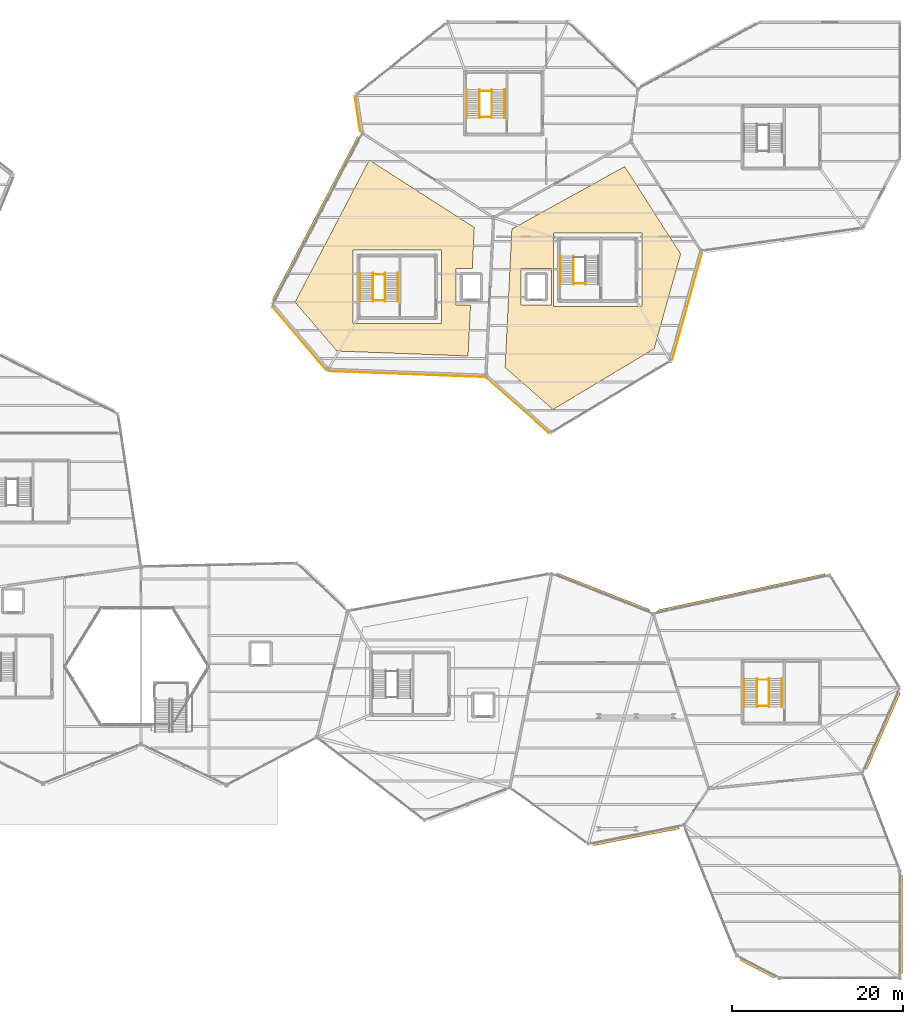
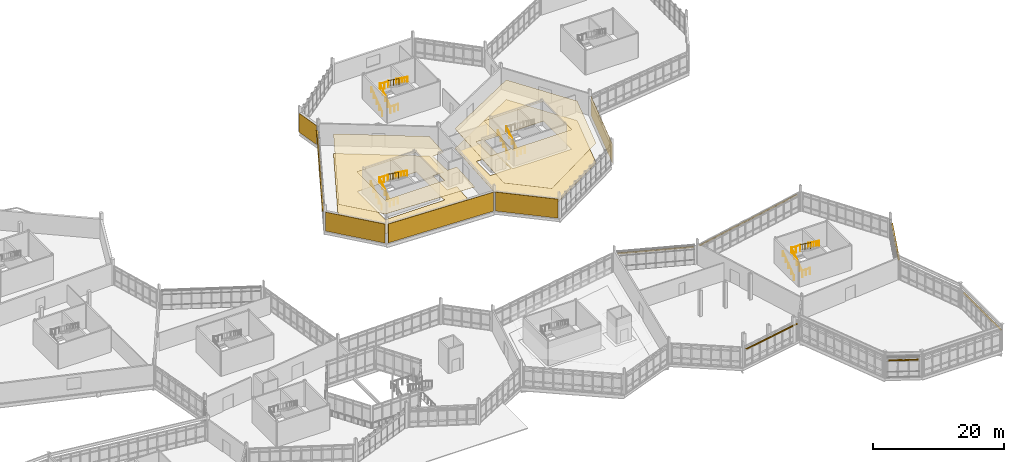
# One storey, part 133 of 134: 21 railings, 9 coverings, 7 shading devices.
"""IFC4 building model written with IfcOpenShell, lengths in metres."""

from ifc_helpers import new_model, si_unit, direction, frame, frame_2d, origin, origin_2d, place, context, subcontext, project, spatial, polyline, rectangle, circle, outline, extrude, material, layer, layer_set, type_object, element, save


model = new_model("IFC4")

# Units and contexts
model_context = context("Model", 3, precision=1e-05, world=origin(), true_north=direction((0.0, 1.0)))
body_context = subcontext(model_context, "Body", "Model", "MODEL_VIEW")
ifc_project = project(units=[si_unit("LENGTHUNIT", "METRE"), si_unit("AREAUNIT", "SQUARE_METRE"), si_unit("VOLUMEUNIT", "CUBIC_METRE"), si_unit("PLANEANGLEUNIT", "RADIAN"), si_unit("MASSUNIT", "GRAM", prefix="KILO")], contexts=[model_context])

# Site, building, storey
site_placement = place(None, origin())
site = spatial("IfcSite", under=ifc_project, at=site_placement, CompositionType="ELEMENT")
building_placement = place(site_placement, origin())
building = spatial("IfcBuilding", under=site, at=building_placement, Name="Tameran Prism Museum", CompositionType="ELEMENT")
storey_placement = place(building_placement, frame((0.0, 0.0, 5.39990234375)))
storey = spatial("IfcBuildingStorey", under=building, at=storey_placement, Name="L01", CompositionType="ELEMENT", Elevation=5.39990234375)

# Coverings
ifc_material_1 = material(Name="Perforated Acoustic Timber Slat Ceiling", Category="wood")
ifc_layer_1 = layer(ifc_material_1, 0.034912109375)
ifc_layer_set_1 = layer_set([ifc_layer_1])
covering_type_1 = type_object("IfcCoveringType", Name="CV-CEIL-AC", PredefinedType="CEILING", material=ifc_layer_set_1)
covering_1_placement = place(storey_placement, frame((0.0, 0.0, 3.650146484375)))
element("IfcCovering", 1, at=covering_1_placement, inside=storey, type_object=covering_type_1, Name="Acoustic Gallery Ceiling CLG-04", PredefinedType="CEILING", context=body_context, shape_type="SweptSolid", body=[
    extrude(outline(polyline([(95.5390625, 79.199951171875), (104.235107421875, 95.847900390625), (116.541015625, 87.93701171875), (116.30810546875, 83.14990234375), (114.39990234375, 83.14990234375), (114.39990234375, 78.85009765625), (116.09912109375, 78.85009765625), (115.80810546875, 72.881103515625), (100.446044921875, 73.4619140625), (95.5390625, 79.199951171875)]), holes=[polyline([(112.699951171875, 85.300048828125), (102.300048828125, 85.300048828125), (102.300048828125, 76.699951171875), (112.699951171875, 76.699951171875), (112.699951171875, 85.300048828125)])]), origin(), (0.0, 0.0, 1.0), 0.034912109375),
])
covering_2_placement = place(storey_placement, frame((0.0, 0.0, 3.650146484375)))
element("IfcCovering", 2, at=covering_2_placement, inside=storey, type_object=covering_type_1, Name="Acoustic Gallery Ceiling CLG-05", PredefinedType="CEILING", context=body_context, shape_type="SweptSolid", body=[
    extrude(outline(polyline([(120.93798828125, 87.76806640625), (134.159912109375, 95.076904296875), (140.716064453125, 84.843017578125), (137.616943359375, 73.736083984375), (125.748046875, 66.614013671875), (120.14892578125, 71.550048828125), (120.93798828125, 87.76806640625)]), holes=[polyline([(125.60009765625, 78.85009765625), (125.60009765625, 83.14990234375), (122.0, 83.14990234375), (122.0, 78.85009765625), (125.60009765625, 78.85009765625)]), polyline([(136.199951171875, 87.300048828125), (125.800048828125, 87.300048828125), (125.800048828125, 78.699951171875), (136.199951171875, 78.699951171875), (136.199951171875, 87.300048828125)])]), origin(), (0.0, 0.0, 1.0), 0.034912109375),
])
ifc_material_2 = material(Name="Honed Porcellanite Terrazzo Flooring")
ifc_layer_2 = layer(ifc_material_2, 0.030029296875)
ifc_layer_set_2 = layer_set([ifc_layer_2])
covering_type_2 = type_object("IfcCoveringType", Name="CV-FLR-TER", PredefinedType="FLOORING", material=ifc_layer_set_2)
covering_3_placement = place(storey_placement, origin())
element("IfcCovering", 3, at=covering_3_placement, inside=storey, type_object=covering_type_2, Name="Porcellanite Terrazzo Floor FLR-04", PredefinedType="FLOORING", context=body_context, shape_type="SweptSolid", body=[
    extrude(outline(polyline([(95.5390625, 79.199951171875), (104.235107421875, 95.847900390625), (116.541015625, 87.93701171875), (116.30810546875, 83.14990234375), (114.39990234375, 83.14990234375), (114.39990234375, 78.85009765625), (116.09912109375, 78.85009765625), (115.80810546875, 72.881103515625), (100.446044921875, 73.4619140625), (95.5390625, 79.199951171875)]), holes=[polyline([(112.699951171875, 85.300048828125), (102.300048828125, 85.300048828125), (102.300048828125, 76.699951171875), (112.699951171875, 76.699951171875), (112.699951171875, 85.300048828125)])]), origin(), (0.0, 0.0, 1.0), 0.030029296875),
])
covering_4_placement = place(storey_placement, origin())
element("IfcCovering", 4, at=covering_4_placement, inside=storey, type_object=covering_type_2, Name="Porcellanite Terrazzo Floor FLR-05", PredefinedType="FLOORING", context=body_context, shape_type="SweptSolid", body=[
    extrude(outline(polyline([(120.93798828125, 87.76806640625), (134.159912109375, 95.076904296875), (140.716064453125, 84.843017578125), (137.616943359375, 73.736083984375), (125.748046875, 66.614013671875), (120.14892578125, 71.550048828125), (120.93798828125, 87.76806640625)]), holes=[polyline([(125.60009765625, 78.85009765625), (125.60009765625, 83.14990234375), (122.0, 83.14990234375), (122.0, 78.85009765625), (125.60009765625, 78.85009765625)]), polyline([(136.199951171875, 87.300048828125), (125.800048828125, 87.300048828125), (125.800048828125, 78.699951171875), (136.199951171875, 78.699951171875), (136.199951171875, 87.300048828125)])]), origin(), (0.0, 0.0, 1.0), 0.030029296875),
])
ifc_material_3 = material(Name="White Fluted Mineral Precast GRC", Category="concrete")
ifc_layer_3 = layer(ifc_material_3, 0.044921875)
ifc_layer_set_3 = layer_set([ifc_layer_3])
covering_type_3 = type_object("IfcCoveringType", Name="CV-FLUTE-WHT", PredefinedType="CLADDING", material=ifc_layer_set_3)
covering_5_placement = place(storey_placement, frame((117.653076171875, 70.4189453125, 0.050048828125), z_axis=(0.0, 0.0, 1.0), x_axis=(-0.99928497739, 0.037809178279, 0.0)))
element("IfcCovering", 5, at=covering_5_placement, inside=storey, type_object=covering_type_3, Name="Vertical Fluted White Precast Panel CL-0011", PredefinedType="CLADDING", context=body_context, shape_type="SweptSolid", body=[
    extrude(rectangle(XDim=18.093017578125, YDim=0.044921875, at=frame_2d((9.04638671875, 0.0))), origin(), (0.0, 0.0, 1.0), 3.52001953125),
])
covering_6_placement = place(storey_placement, frame((99.138916015625, 71.31298828125, 0.050048828125), z_axis=(0.0, 0.0, 1.0), x_axis=(-0.649933824591, 0.759990804979, 0.0)))
element("IfcCovering", 6, at=covering_6_placement, inside=storey, type_object=covering_type_3, Name="Vertical Fluted White Precast Panel CL-0012", PredefinedType="CLADDING", context=body_context, shape_type="SweptSolid", body=[
    extrude(rectangle(XDim=9.640869140625, YDim=0.044921875, at=frame_2d((4.8203125, 0.0))), origin(), (0.0, 0.0, 1.0), 3.52001953125),
])
covering_7_placement = place(storey_placement, frame((125.239013671875, 63.876953125, 0.050048828125), z_axis=(0.0, 0.0, 1.0), x_axis=(-0.750181119255, 0.661232401137, 0.0)))
element("IfcCovering", 7, at=covering_7_placement, inside=storey, type_object=covering_type_3, Name="Vertical Fluted White Precast Panel CL-0013", PredefinedType="CLADDING", context=body_context, shape_type="SweptSolid", body=[
    extrude(rectangle(XDim=9.7109375, YDim=0.044921875, at=frame_2d((4.85546875, 0.0))), origin(), (0.0, 0.0, 1.0), 3.52001953125),
])
covering_8_placement = place(storey_placement, frame((143.218994140625, 84.91796875, 0.050048828125), z_axis=(0.0, 0.0, 1.0), x_axis=(-0.268857839587, -0.963179870062, 0.0)))
element("IfcCovering", 8, at=covering_8_placement, inside=storey, type_object=covering_type_3, Name="Vertical Fluted White Precast Panel CL-0014", PredefinedType="CLADDING", context=body_context, shape_type="SweptSolid", body=[
    extrude(rectangle(XDim=12.9736328125, YDim=0.044921875, at=frame_2d((6.48681640625, 0.0))), origin(), (0.0, 0.0, 1.0), 3.52001953125),
])
covering_9_placement = place(storey_placement, frame((103.176025390625, 99.2080078125, 0.050048828125), z_axis=(0.0, 0.0, 1.0), x_axis=(-0.153836417565, 0.988096329631, 0.0)))
element("IfcCovering", 9, at=covering_9_placement, inside=storey, type_object=covering_type_3, Name="Vertical Fluted White Precast Panel CL-0015", PredefinedType="CLADDING", context=body_context, shape_type="SweptSolid", body=[
    extrude(rectangle(XDim=4.13427734375, YDim=0.044921875, at=frame_2d((2.067138671875, 0.0))), origin(), (0.0, 0.0, 1.0), 3.52001953125),
])

# Railings
ifc_material_4 = material(Name="Marine Stainless Steel 316", Category="steel")
ifc_layer_4 = layer(ifc_material_4, 0.054931640625)
ifc_layer_set_4 = layer_set([ifc_layer_4])
railing_type_1 = type_object("IfcRailingType", Name="RL-GR-1120", PredefinedType="GUARDRAIL", material=ifc_layer_set_4)
railing_1_placement = place(storey_placement, frame((104.68994140625, 79.39990234375, 0.0)))
element("IfcRailing", 10, at=railing_1_placement, inside=storey, type_object=railing_type_1, Name="Stair Well Slot Guard GR-S008", PredefinedType="GUARDRAIL", context=body_context, shape_type="SweptSolid", body=[
    extrude(circle(Radius=0.02392578125, at=origin_2d()), frame((0.0, 0.0, 1.1259765625), z_axis=(1.0, 0.0, 0.0), x_axis=(0.0, 1.0, 0.0)), (0.0, 0.0, 1.0), 1.3701171875),
    extrude(circle(Radius=0.02099609375, at=origin_2d()), origin(), (0.0, 0.0, 1.0), 1.101806640625),
    extrude(circle(Radius=0.02099609375, at=origin_2d()), frame((0.68505859375, 0.0, 0.0)), (0.0, 0.0, 1.0), 1.101806640625),
    extrude(circle(Radius=0.02099609375, at=origin_2d()), frame((1.3701171875, 0.0, 0.0)), (0.0, 0.0, 1.0), 1.101806640625),
])
railing_2_placement = place(storey_placement, frame((104.669921875, 79.280029296875, 0.0)))
element("IfcRailing", 11, at=railing_2_placement, inside=storey, type_object=railing_type_1, Name="Stair Well Guardrail GR-S009", PredefinedType="GUARDRAIL", context=body_context, shape_type="SweptSolid", body=[
    extrude(circle(Radius=0.02392578125, at=origin_2d()), frame((0.0, 0.0, 1.1259765625), z_axis=(0.0, 0.809980229442, 0.586457183359), x_axis=(-1.0, 0.0, 0.0)), (0.0, 0.0, 1.0), 4.092529296875),
    extrude(circle(Radius=0.02099609375, at=origin_2d()), origin(), (0.0, 0.0, 1.0), 1.101806640625),
    extrude(circle(Radius=0.02099609375, at=origin_2d()), frame((0.0, 0.82861328125, 0.60009765625)), (0.0, 0.0, 1.0), 1.101806640625),
    extrude(circle(Radius=0.02099609375, at=origin_2d()), frame((0.0, 1.657470703125, 1.2001953125)), (0.0, 0.0, 1.0), 1.101806640625),
    extrude(circle(Radius=0.02099609375, at=origin_2d()), frame((0.0, 2.486328125, 1.800048828125)), (0.0, 0.0, 1.0), 1.101806640625),
    extrude(circle(Radius=0.02099609375, at=origin_2d()), frame((0.0, 3.31494140625, 2.400146484375)), (0.0, 0.0, 1.0), 1.101806640625),
])
railing_3_placement = place(storey_placement, frame((106.080078125, 82.594970703125, 2.400146484375)))
element("IfcRailing", 12, at=railing_3_placement, inside=storey, type_object=railing_type_1, Name="Stair Well Guardrail GR-S010", PredefinedType="GUARDRAIL", context=body_context, shape_type="SweptSolid", body=[
    extrude(circle(Radius=0.02392578125, at=origin_2d()), frame((0.0, 0.0, 1.1259765625), z_axis=(0.0, -0.810008566192, 0.586418044312), x_axis=(1.0, 0.0, 0.0)), (0.0, 0.0, 1.0), 4.092529296875),
    extrude(circle(Radius=0.02099609375, at=origin_2d()), origin(), (0.0, 0.0, 1.0), 1.101806640625),
    extrude(circle(Radius=0.02099609375, at=origin_2d()), frame((0.0, -0.82861328125, 0.60009765625)), (0.0, 0.0, 1.0), 1.101806640625),
    extrude(circle(Radius=0.02099609375, at=origin_2d()), frame((0.0, -1.657470703125, 1.199951171875)), (0.0, 0.0, 1.0), 1.101806640625),
    extrude(circle(Radius=0.02099609375, at=origin_2d()), frame((0.0, -2.486328125, 1.7998046875)), (0.0, 0.0, 1.0), 1.101806640625),
    extrude(circle(Radius=0.02099609375, at=origin_2d()), frame((0.0, -3.31494140625, 2.39990234375)), (0.0, 0.0, 1.0), 1.101806640625),
])
railing_4_placement = place(storey_placement, frame((104.64990234375, 82.455078125, 2.400146484375)))
element("IfcRailing", 13, at=railing_4_placement, inside=storey, type_object=railing_type_1, Name="Landing Well Guardrail GR-S011", PredefinedType="GUARDRAIL", context=body_context, shape_type="SweptSolid", body=[
    extrude(circle(Radius=0.02392578125, at=origin_2d()), frame((0.0, 0.0, 1.1259765625), z_axis=(1.0, 0.0, 0.0), x_axis=(0.0, 1.0, 0.0)), (0.0, 0.0, 1.0), 1.4501953125),
    extrude(circle(Radius=0.02099609375, at=origin_2d()), origin(), (0.0, 0.0, 1.0), 1.101806640625),
    extrude(circle(Radius=0.02099609375, at=origin_2d()), frame((0.72509765625, 0.0, 0.0)), (0.0, 0.0, 1.0), 1.101806640625),
    extrude(circle(Radius=0.02099609375, at=origin_2d()), frame((1.4501953125, 0.0, 0.0)), (0.0, 0.0, 1.0), 1.101806640625),
])
railing_5_placement = place(storey_placement, frame((128.18994140625, 81.39990234375, 0.0)))
element("IfcRailing", 14, at=railing_5_placement, inside=storey, type_object=railing_type_1, Name="Stair Well Slot Guard GR-S036", PredefinedType="GUARDRAIL", context=body_context, shape_type="SweptSolid", body=[
    extrude(circle(Radius=0.02392578125, at=origin_2d()), frame((0.0, 0.0, 1.1259765625), z_axis=(1.0, 0.0, 0.0), x_axis=(0.0, 1.0, 0.0)), (0.0, 0.0, 1.0), 1.3701171875),
    extrude(circle(Radius=0.02099609375, at=origin_2d()), origin(), (0.0, 0.0, 1.0), 1.101806640625),
    extrude(circle(Radius=0.02099609375, at=origin_2d()), frame((0.68505859375, 0.0, 0.0)), (0.0, 0.0, 1.0), 1.101806640625),
    extrude(circle(Radius=0.02099609375, at=origin_2d()), frame((1.3701171875, 0.0, 0.0)), (0.0, 0.0, 1.0), 1.101806640625),
])
railing_6_placement = place(storey_placement, frame((128.169921875, 81.280029296875, 0.0)))
element("IfcRailing", 15, at=railing_6_placement, inside=storey, type_object=railing_type_1, Name="Stair Well Guardrail GR-S037", PredefinedType="GUARDRAIL", context=body_context, shape_type="SweptSolid", body=[
    extrude(circle(Radius=0.02392578125, at=origin_2d()), frame((0.0, 0.0, 1.1259765625), z_axis=(0.0, 0.809980229442, 0.586457183359), x_axis=(-1.0, 0.0, 0.0)), (0.0, 0.0, 1.0), 4.092529296875),
    extrude(circle(Radius=0.02099609375, at=origin_2d()), origin(), (0.0, 0.0, 1.0), 1.101806640625),
    extrude(circle(Radius=0.02099609375, at=origin_2d()), frame((0.0, 0.82861328125, 0.60009765625)), (0.0, 0.0, 1.0), 1.101806640625),
    extrude(circle(Radius=0.02099609375, at=origin_2d()), frame((0.0, 1.657470703125, 1.2001953125)), (0.0, 0.0, 1.0), 1.101806640625),
    extrude(circle(Radius=0.02099609375, at=origin_2d()), frame((0.0, 2.486328125, 1.800048828125)), (0.0, 0.0, 1.0), 1.101806640625),
    extrude(circle(Radius=0.02099609375, at=origin_2d()), frame((0.0, 3.31494140625, 2.400146484375)), (0.0, 0.0, 1.0), 1.101806640625),
])
railing_7_placement = place(storey_placement, frame((117.18994140625, 100.89990234375, 0.0)))
element("IfcRailing", 16, at=railing_7_placement, inside=storey, type_object=railing_type_1, Name="Stair Well Slot Guard GR-S064", PredefinedType="GUARDRAIL", context=body_context, shape_type="SweptSolid", body=[
    extrude(circle(Radius=0.02392578125, at=origin_2d()), frame((0.0, 0.0, 1.1259765625), z_axis=(1.0, 0.0, 0.0), x_axis=(0.0, 1.0, 0.0)), (0.0, 0.0, 1.0), 1.3701171875),
    extrude(circle(Radius=0.02099609375, at=origin_2d()), origin(), (0.0, 0.0, 1.0), 1.101806640625),
    extrude(circle(Radius=0.02099609375, at=origin_2d()), frame((0.68505859375, 0.0, 0.0)), (0.0, 0.0, 1.0), 1.101806640625),
    extrude(circle(Radius=0.02099609375, at=origin_2d()), frame((1.3701171875, 0.0, 0.0)), (0.0, 0.0, 1.0), 1.101806640625),
])
railing_8_placement = place(storey_placement, frame((117.169921875, 100.780029296875, 0.0)))
element("IfcRailing", 17, at=railing_8_placement, inside=storey, type_object=railing_type_1, Name="Stair Well Guardrail GR-S065", PredefinedType="GUARDRAIL", context=body_context, shape_type="SweptSolid", body=[
    extrude(circle(Radius=0.02392578125, at=origin_2d()), frame((0.0, 0.0, 1.1259765625), z_axis=(0.0, 0.809980229442, 0.586457183359), x_axis=(-1.0, 0.0, 0.0)), (0.0, 0.0, 1.0), 4.092529296875),
    extrude(circle(Radius=0.02099609375, at=origin_2d()), origin(), (0.0, 0.0, 1.0), 1.101806640625),
    extrude(circle(Radius=0.02099609375, at=origin_2d()), frame((0.0, 0.82861328125, 0.60009765625)), (0.0, 0.0, 1.0), 1.101806640625),
    extrude(circle(Radius=0.02099609375, at=origin_2d()), frame((0.0, 1.657470703125, 1.2001953125)), (0.0, 0.0, 1.0), 1.101806640625),
    extrude(circle(Radius=0.02099609375, at=origin_2d()), frame((0.0, 2.486328125, 1.800048828125)), (0.0, 0.0, 1.0), 1.101806640625),
    extrude(circle(Radius=0.02099609375, at=origin_2d()), frame((0.0, 3.31494140625, 2.400146484375)), (0.0, 0.0, 1.0), 1.101806640625),
])
railing_9_placement = place(storey_placement, frame((118.580078125, 104.094970703125, 2.400146484375)))
element("IfcRailing", 18, at=railing_9_placement, inside=storey, type_object=railing_type_1, Name="Stair Well Guardrail GR-S066", PredefinedType="GUARDRAIL", context=body_context, shape_type="SweptSolid", body=[
    extrude(circle(Radius=0.02392578125, at=origin_2d()), frame((0.0, 0.0, 1.1259765625), z_axis=(0.0, -0.810008566192, 0.586418044312), x_axis=(1.0, 0.0, 0.0)), (0.0, 0.0, 1.0), 4.092529296875),
    extrude(circle(Radius=0.02099609375, at=origin_2d()), origin(), (0.0, 0.0, 1.0), 1.101806640625),
    extrude(circle(Radius=0.02099609375, at=origin_2d()), frame((0.0, -0.82861328125, 0.60009765625)), (0.0, 0.0, 1.0), 1.101806640625),
    extrude(circle(Radius=0.02099609375, at=origin_2d()), frame((0.0, -1.657470703125, 1.199951171875)), (0.0, 0.0, 1.0), 1.101806640625),
    extrude(circle(Radius=0.02099609375, at=origin_2d()), frame((0.0, -2.486328125, 1.7998046875)), (0.0, 0.0, 1.0), 1.101806640625),
    extrude(circle(Radius=0.02099609375, at=origin_2d()), frame((0.0, -3.31494140625, 2.39990234375)), (0.0, 0.0, 1.0), 1.101806640625),
])
railing_10_placement = place(storey_placement, frame((117.14990234375, 103.955078125, 2.400146484375)))
element("IfcRailing", 19, at=railing_10_placement, inside=storey, type_object=railing_type_1, Name="Landing Well Guardrail GR-S067", PredefinedType="GUARDRAIL", context=body_context, shape_type="SweptSolid", body=[
    extrude(circle(Radius=0.02392578125, at=origin_2d()), frame((0.0, 0.0, 1.1259765625), z_axis=(1.0, 0.0, 0.0), x_axis=(0.0, 1.0, 0.0)), (0.0, 0.0, 1.0), 1.4501953125),
    extrude(circle(Radius=0.02099609375, at=origin_2d()), origin(), (0.0, 0.0, 1.0), 1.101806640625),
    extrude(circle(Radius=0.02099609375, at=origin_2d()), frame((0.72509765625, 0.0, 0.0)), (0.0, 0.0, 1.0), 1.101806640625),
    extrude(circle(Radius=0.02099609375, at=origin_2d()), frame((1.4501953125, 0.0, 0.0)), (0.0, 0.0, 1.0), 1.101806640625),
])
railing_11_placement = place(storey_placement, frame((149.68994140625, 31.89990234375, 0.0)))
element("IfcRailing", 20, at=railing_11_placement, inside=storey, type_object=railing_type_1, Name="Stair Well Slot Guard GR-S192", PredefinedType="GUARDRAIL", context=body_context, shape_type="SweptSolid", body=[
    extrude(circle(Radius=0.02392578125, at=origin_2d()), frame((0.0, 0.0, 1.1259765625), z_axis=(1.0, 0.0, 0.0), x_axis=(0.0, 1.0, 0.0)), (0.0, 0.0, 1.0), 1.3701171875),
    extrude(circle(Radius=0.02099609375, at=origin_2d()), origin(), (0.0, 0.0, 1.0), 1.101806640625),
    extrude(circle(Radius=0.02099609375, at=origin_2d()), frame((0.68505859375, 0.0, 0.0)), (0.0, 0.0, 1.0), 1.101806640625),
    extrude(circle(Radius=0.02099609375, at=origin_2d()), frame((1.3701171875, 0.0, 0.0)), (0.0, 0.0, 1.0), 1.101806640625),
])
railing_12_placement = place(storey_placement, frame((149.669921875, 31.780029296875, 0.0)))
element("IfcRailing", 21, at=railing_12_placement, inside=storey, type_object=railing_type_1, Name="Stair Well Guardrail GR-S193", PredefinedType="GUARDRAIL", context=body_context, shape_type="SweptSolid", body=[
    extrude(circle(Radius=0.02392578125, at=origin_2d()), frame((0.0, 0.0, 1.1259765625), z_axis=(0.0, 0.809980229442, 0.586457183359), x_axis=(-1.0, 0.0, 0.0)), (0.0, 0.0, 1.0), 4.092529296875),
    extrude(circle(Radius=0.02099609375, at=origin_2d()), origin(), (0.0, 0.0, 1.0), 1.101806640625),
    extrude(circle(Radius=0.02099609375, at=origin_2d()), frame((0.0, 0.82861328125, 0.60009765625)), (0.0, 0.0, 1.0), 1.101806640625),
    extrude(circle(Radius=0.02099609375, at=origin_2d()), frame((0.0, 1.657470703125, 1.2001953125)), (0.0, 0.0, 1.0), 1.101806640625),
    extrude(circle(Radius=0.02099609375, at=origin_2d()), frame((0.0, 2.486328125, 1.800048828125)), (0.0, 0.0, 1.0), 1.101806640625),
    extrude(circle(Radius=0.02099609375, at=origin_2d()), frame((0.0, 3.31494140625, 2.400146484375)), (0.0, 0.0, 1.0), 1.101806640625),
])
railing_13_placement = place(storey_placement, frame((151.080078125, 35.094970703125, 2.400146484375)))
element("IfcRailing", 22, at=railing_13_placement, inside=storey, type_object=railing_type_1, Name="Stair Well Guardrail GR-S194", PredefinedType="GUARDRAIL", context=body_context, shape_type="SweptSolid", body=[
    extrude(circle(Radius=0.02392578125, at=origin_2d()), frame((0.0, 0.0, 1.1259765625), z_axis=(0.0, -0.810008566192, 0.586418044312), x_axis=(1.0, 0.0, 0.0)), (0.0, 0.0, 1.0), 4.092529296875),
    extrude(circle(Radius=0.02099609375, at=origin_2d()), origin(), (0.0, 0.0, 1.0), 1.101806640625),
    extrude(circle(Radius=0.02099609375, at=origin_2d()), frame((0.0, -0.82861328125, 0.60009765625)), (0.0, 0.0, 1.0), 1.101806640625),
    extrude(circle(Radius=0.02099609375, at=origin_2d()), frame((0.0, -1.657470703125, 1.199951171875)), (0.0, 0.0, 1.0), 1.101806640625),
    extrude(circle(Radius=0.02099609375, at=origin_2d()), frame((0.0, -2.486328125, 1.7998046875)), (0.0, 0.0, 1.0), 1.101806640625),
    extrude(circle(Radius=0.02099609375, at=origin_2d()), frame((0.0, -3.31494140625, 2.39990234375)), (0.0, 0.0, 1.0), 1.101806640625),
])
railing_14_placement = place(storey_placement, frame((149.64990234375, 34.955078125, 2.400146484375)))
element("IfcRailing", 23, at=railing_14_placement, inside=storey, type_object=railing_type_1, Name="Landing Well Guardrail GR-S195", PredefinedType="GUARDRAIL", context=body_context, shape_type="SweptSolid", body=[
    extrude(circle(Radius=0.02392578125, at=origin_2d()), frame((0.0, 0.0, 1.1259765625), z_axis=(1.0, 0.0, 0.0), x_axis=(0.0, 1.0, 0.0)), (0.0, 0.0, 1.0), 1.4501953125),
    extrude(circle(Radius=0.02099609375, at=origin_2d()), origin(), (0.0, 0.0, 1.0), 1.101806640625),
    extrude(circle(Radius=0.02099609375, at=origin_2d()), frame((0.72509765625, 0.0, 0.0)), (0.0, 0.0, 1.0), 1.101806640625),
    extrude(circle(Radius=0.02099609375, at=origin_2d()), frame((1.4501953125, 0.0, 0.0)), (0.0, 0.0, 1.0), 1.101806640625),
])
ifc_material_5 = material(Name="Brushed Stainless Steel 316", Category="steel")
ifc_layer_5 = layer(ifc_material_5, 0.048095703125)
ifc_layer_set_5 = layer_set([ifc_layer_5])
railing_type_2 = type_object("IfcRailingType", Name="RL-HR-920", PredefinedType="HANDRAIL", material=ifc_layer_set_5)
railing_15_placement = place(storey_placement, frame((103.159912109375, 79.280029296875, 0.0)))
element("IfcRailing", 24, at=railing_15_placement, inside=storey, type_object=railing_type_2, Name="Stair Flight Handrail HR-005", PredefinedType="HANDRAIL", context=body_context, shape_type="SweptSolid", body=[
    extrude(circle(Radius=0.02392578125, at=origin_2d()), frame((0.0, 0.0, 0.89599609375), z_axis=(0.0, 0.809980229442, 0.586457183359), x_axis=(-1.0, 0.0, 0.0)), (0.0, 0.0, 1.0), 4.092529296875),
    extrude(circle(Radius=0.02099609375, at=origin_2d()), origin(), (0.0, 0.0, 1.0), 0.871826171875),
    extrude(circle(Radius=0.02099609375, at=origin_2d()), frame((0.0, 0.82861328125, 0.60009765625)), (0.0, 0.0, 1.0), 0.871826171875),
    extrude(circle(Radius=0.02099609375, at=origin_2d()), frame((0.0, 1.657470703125, 1.2001953125)), (0.0, 0.0, 1.0), 0.871826171875),
    extrude(circle(Radius=0.02099609375, at=origin_2d()), frame((0.0, 2.486328125, 1.800048828125)), (0.0, 0.0, 1.0), 0.871826171875),
    extrude(circle(Radius=0.02099609375, at=origin_2d()), frame((0.0, 3.31494140625, 2.400146484375)), (0.0, 0.0, 1.0), 0.871826171875),
])
railing_16_placement = place(storey_placement, frame((107.590087890625, 82.594970703125, 2.400146484375)))
element("IfcRailing", 25, at=railing_16_placement, inside=storey, type_object=railing_type_2, Name="Stair Flight Handrail HR-006", PredefinedType="HANDRAIL", context=body_context, shape_type="SweptSolid", body=[
    extrude(circle(Radius=0.02392578125, at=origin_2d()), frame((0.0, 0.0, 0.89599609375), z_axis=(0.0, -0.810008566192, 0.586418044312), x_axis=(1.0, 0.0, 0.0)), (0.0, 0.0, 1.0), 4.092529296875),
    extrude(circle(Radius=0.02099609375, at=origin_2d()), origin(), (0.0, 0.0, 1.0), 0.871826171875),
    extrude(circle(Radius=0.02099609375, at=origin_2d()), frame((0.0, -0.82861328125, 0.60009765625)), (0.0, 0.0, 1.0), 0.871826171875),
    extrude(circle(Radius=0.02099609375, at=origin_2d()), frame((0.0, -1.657470703125, 1.199951171875)), (0.0, 0.0, 1.0), 0.871826171875),
    extrude(circle(Radius=0.02099609375, at=origin_2d()), frame((0.0, -2.486328125, 1.7998046875)), (0.0, 0.0, 1.0), 0.871826171875),
    extrude(circle(Radius=0.02099609375, at=origin_2d()), frame((0.0, -3.31494140625, 2.39990234375)), (0.0, 0.0, 1.0), 0.871826171875),
])
for number, where, name in (
    (26, (126.659912109375, 81.280029296875, 0.0), "Stair Flight Handrail HR-019"),
    (27, (115.659912109375, 100.780029296875, 0.0), "Stair Flight Handrail HR-033"),
):
    element("IfcRailing", number, at=place(storey_placement, frame(where)), inside=storey, type_object=railing_type_2, Name=name, PredefinedType="HANDRAIL", context=body_context, shape_type="SweptSolid", body=[
        extrude(circle(Radius=0.02392578125, at=origin_2d()), frame((0.0, 0.0, 0.89599609375), z_axis=(0.0, 0.809980229442, 0.586457183359), x_axis=(-1.0, 0.0, 0.0)), (0.0, 0.0, 1.0), 4.092529296875),
        extrude(circle(Radius=0.02099609375, at=origin_2d()), origin(), (0.0, 0.0, 1.0), 0.871826171875),
        extrude(circle(Radius=0.02099609375, at=origin_2d()), frame((0.0, 0.82861328125, 0.60009765625)), (0.0, 0.0, 1.0), 0.871826171875),
        extrude(circle(Radius=0.02099609375, at=origin_2d()), frame((0.0, 1.657470703125, 1.2001953125)), (0.0, 0.0, 1.0), 0.871826171875),
        extrude(circle(Radius=0.02099609375, at=origin_2d()), frame((0.0, 2.486328125, 1.800048828125)), (0.0, 0.0, 1.0), 0.871826171875),
        extrude(circle(Radius=0.02099609375, at=origin_2d()), frame((0.0, 3.31494140625, 2.400146484375)), (0.0, 0.0, 1.0), 0.871826171875),
    ])
railing_17_placement = place(storey_placement, frame((120.090087890625, 104.094970703125, 2.400146484375)))
element("IfcRailing", 28, at=railing_17_placement, inside=storey, type_object=railing_type_2, Name="Stair Flight Handrail HR-034", PredefinedType="HANDRAIL", context=body_context, shape_type="SweptSolid", body=[
    extrude(circle(Radius=0.02392578125, at=origin_2d()), frame((0.0, 0.0, 0.89599609375), z_axis=(0.0, -0.810008566192, 0.586418044312), x_axis=(1.0, 0.0, 0.0)), (0.0, 0.0, 1.0), 4.092529296875),
    extrude(circle(Radius=0.02099609375, at=origin_2d()), origin(), (0.0, 0.0, 1.0), 0.871826171875),
    extrude(circle(Radius=0.02099609375, at=origin_2d()), frame((0.0, -0.82861328125, 0.60009765625)), (0.0, 0.0, 1.0), 0.871826171875),
    extrude(circle(Radius=0.02099609375, at=origin_2d()), frame((0.0, -1.657470703125, 1.199951171875)), (0.0, 0.0, 1.0), 0.871826171875),
    extrude(circle(Radius=0.02099609375, at=origin_2d()), frame((0.0, -2.486328125, 1.7998046875)), (0.0, 0.0, 1.0), 0.871826171875),
    extrude(circle(Radius=0.02099609375, at=origin_2d()), frame((0.0, -3.31494140625, 2.39990234375)), (0.0, 0.0, 1.0), 0.871826171875),
])
railing_18_placement = place(storey_placement, frame((148.159912109375, 31.780029296875, 0.0)))
element("IfcRailing", 29, at=railing_18_placement, inside=storey, type_object=railing_type_2, Name="Stair Flight Handrail HR-097", PredefinedType="HANDRAIL", context=body_context, shape_type="SweptSolid", body=[
    extrude(circle(Radius=0.02392578125, at=origin_2d()), frame((0.0, 0.0, 0.89599609375), z_axis=(0.0, 0.809980229442, 0.586457183359), x_axis=(-1.0, 0.0, 0.0)), (0.0, 0.0, 1.0), 4.092529296875),
    extrude(circle(Radius=0.02099609375, at=origin_2d()), origin(), (0.0, 0.0, 1.0), 0.871826171875),
    extrude(circle(Radius=0.02099609375, at=origin_2d()), frame((0.0, 0.82861328125, 0.60009765625)), (0.0, 0.0, 1.0), 0.871826171875),
    extrude(circle(Radius=0.02099609375, at=origin_2d()), frame((0.0, 1.657470703125, 1.2001953125)), (0.0, 0.0, 1.0), 0.871826171875),
    extrude(circle(Radius=0.02099609375, at=origin_2d()), frame((0.0, 2.486328125, 1.800048828125)), (0.0, 0.0, 1.0), 0.871826171875),
    extrude(circle(Radius=0.02099609375, at=origin_2d()), frame((0.0, 3.31494140625, 2.400146484375)), (0.0, 0.0, 1.0), 0.871826171875),
])
railing_19_placement = place(storey_placement, frame((152.590087890625, 35.094970703125, 2.400146484375)))
element("IfcRailing", 30, at=railing_19_placement, inside=storey, type_object=railing_type_2, Name="Stair Flight Handrail HR-098", PredefinedType="HANDRAIL", context=body_context, shape_type="SweptSolid", body=[
    extrude(circle(Radius=0.02392578125, at=origin_2d()), frame((0.0, 0.0, 0.89599609375), z_axis=(0.0, -0.810008566192, 0.586418044312), x_axis=(1.0, 0.0, 0.0)), (0.0, 0.0, 1.0), 4.092529296875),
    extrude(circle(Radius=0.02099609375, at=origin_2d()), origin(), (0.0, 0.0, 1.0), 0.871826171875),
    extrude(circle(Radius=0.02099609375, at=origin_2d()), frame((0.0, -0.82861328125, 0.60009765625)), (0.0, 0.0, 1.0), 0.871826171875),
    extrude(circle(Radius=0.02099609375, at=origin_2d()), frame((0.0, -1.657470703125, 1.199951171875)), (0.0, 0.0, 1.0), 0.871826171875),
    extrude(circle(Radius=0.02099609375, at=origin_2d()), frame((0.0, -2.486328125, 1.7998046875)), (0.0, 0.0, 1.0), 0.871826171875),
    extrude(circle(Radius=0.02099609375, at=origin_2d()), frame((0.0, -3.31494140625, 2.39990234375)), (0.0, 0.0, 1.0), 0.871826171875),
])

# Shading devices
ifc_material_6 = material(Name="Anodised Aluminium Alloy 6063-T6", Category="aluminium")
ifc_layer_6 = layer(ifc_material_6, 0.044921875)
ifc_layer_set_6 = layer_set([ifc_layer_6])
shading_device_type_1 = type_object("IfcShadingDeviceType", Name="SH-JAL-240", PredefinedType="JALOUSIE", material=ifc_layer_set_6)
shading_device_1_placement = place(storey_placement, frame((97.97607421875, 89.006103515625, 3.14013671875), z_axis=(0.0, 0.0, 1.0), x_axis=(0.462986663495, 0.886365246062, 0.0)))
element("IfcShadingDevice", 31, at=shading_device_1_placement, inside=storey, type_object=shading_device_type_1, Name="Monsoon Storm Louvre SLV-018", PredefinedType="JALOUSIE", context=body_context, shape_type="SweptSolid", body=[
    extrude(rectangle(XDim=21.51708984375, YDim=0.260009765625, at=origin_2d()), origin(), (0.0, 0.0, 1.0), 0.06005859375),
])
shading_device_2_placement = place(storey_placement, frame((131.615966796875, 45.217041015625, 3.14013671875), z_axis=(0.0, 0.0, 1.0), x_axis=(0.93009738109, -0.367313029567, 0.0)))
element("IfcShadingDevice", 32, at=shading_device_2_placement, inside=storey, type_object=shading_device_type_1, Name="Monsoon Storm Louvre SLV-028", PredefinedType="JALOUSIE", context=body_context, shape_type="SweptSolid", body=[
    extrude(rectangle(XDim=11.572998046875, YDim=0.260009765625, at=origin_2d()), origin(), (0.0, 0.0, 1.0), 0.06005859375),
])
shading_device_3_placement = place(storey_placement, frame((149.717041015625, 1.139892578125, 3.14013671875), z_axis=(0.0, 0.0, 1.0), x_axis=(-0.887252482586, 0.461284112175, 0.0)))
element("IfcShadingDevice", 33, at=shading_device_3_placement, inside=storey, type_object=shading_device_type_1, Name="Monsoon Storm Louvre SLV-030", PredefinedType="JALOUSIE", context=body_context, shape_type="SweptSolid", body=[
    extrude(rectangle(XDim=4.535888671875, YDim=0.260009765625, at=origin_2d()), origin(), (0.0, 0.0, 1.0), 0.06005859375),
])
shading_device_4_placement = place(storey_placement, frame((164.376953125, 28.955078125, 3.14013671875), z_axis=(0.0, 0.0, 1.0), x_axis=(-0.402746689859, -0.915311479119, 0.0)))
element("IfcShadingDevice", 34, at=shading_device_4_placement, inside=storey, type_object=shading_device_type_1, Name="Monsoon Storm Louvre SLV-038", PredefinedType="JALOUSIE", context=body_context, shape_type="SweptSolid", body=[
    extrude(rectangle(XDim=9.764892578125, YDim=0.260009765625, at=origin_2d()), origin(), (0.0, 0.0, 1.0), 0.06005859375),
])
ifc_material_7 = material(Name="Anodised Aluminium Alloy 6063-T6", Category="aluminium")
ifc_layer_7 = layer(ifc_material_7, 0.050048828125)
ifc_layer_set_7 = layer_set([ifc_layer_7])
shading_device_type_2 = type_object("IfcShadingDeviceType", Name="SH-LOUV-300", PredefinedType="SHUTTER", material=ifc_layer_set_7)
shading_device_5_placement = place(storey_placement, frame((135.506103515625, 16.616943359375, 3.14013671875), z_axis=(0.0, 0.0, 1.0), x_axis=(-0.981259047624, -0.192693231472, 0.0)))
element("IfcShadingDevice", 35, at=shading_device_5_placement, inside=storey, type_object=shading_device_type_2, Name="Monsoon Storm Louvre SLV-029", PredefinedType="SHUTTER", context=body_context, shape_type="SweptSolid", body=[
    extrude(rectangle(XDim=10.25390625, YDim=0.260009765625, at=origin_2d()), origin(), (0.0, 0.0, 1.0), 0.06005859375),
])
shading_device_6_placement = place(storey_placement, frame((166.580078125, 6.300048828125, 3.14013671875), z_axis=(0.0, 0.0, 1.0), x_axis=(0.0, -1.0, 0.0)))
element("IfcShadingDevice", 36, at=shading_device_6_placement, inside=storey, type_object=shading_device_type_2, Name="Monsoon Storm Louvre SLV-031", PredefinedType="SHUTTER", context=body_context, shape_type="SweptSolid", body=[
    extrude(rectangle(XDim=11.5, YDim=0.260009765625, at=origin_2d()), origin(), (0.0, 0.0, 1.0), 0.06005859375),
])
shading_device_7_placement = place(storey_placement, frame((147.842041015625, 45.132080078125, 3.14013671875), z_axis=(0.0, 0.0, 1.0), x_axis=(0.977194059589, 0.212348227928, 0.0)))
element("IfcShadingDevice", 37, at=shading_device_7_placement, inside=storey, type_object=shading_device_type_2, Name="Monsoon Storm Louvre SLV-039", PredefinedType="SHUTTER", context=body_context, shape_type="SweptSolid", body=[
    extrude(rectangle(XDim=20.02294921875, YDim=0.260009765625, at=origin_2d()), origin(), (0.0, 0.0, 1.0), 0.06005859375),
])

save(model, "model.ifc")
